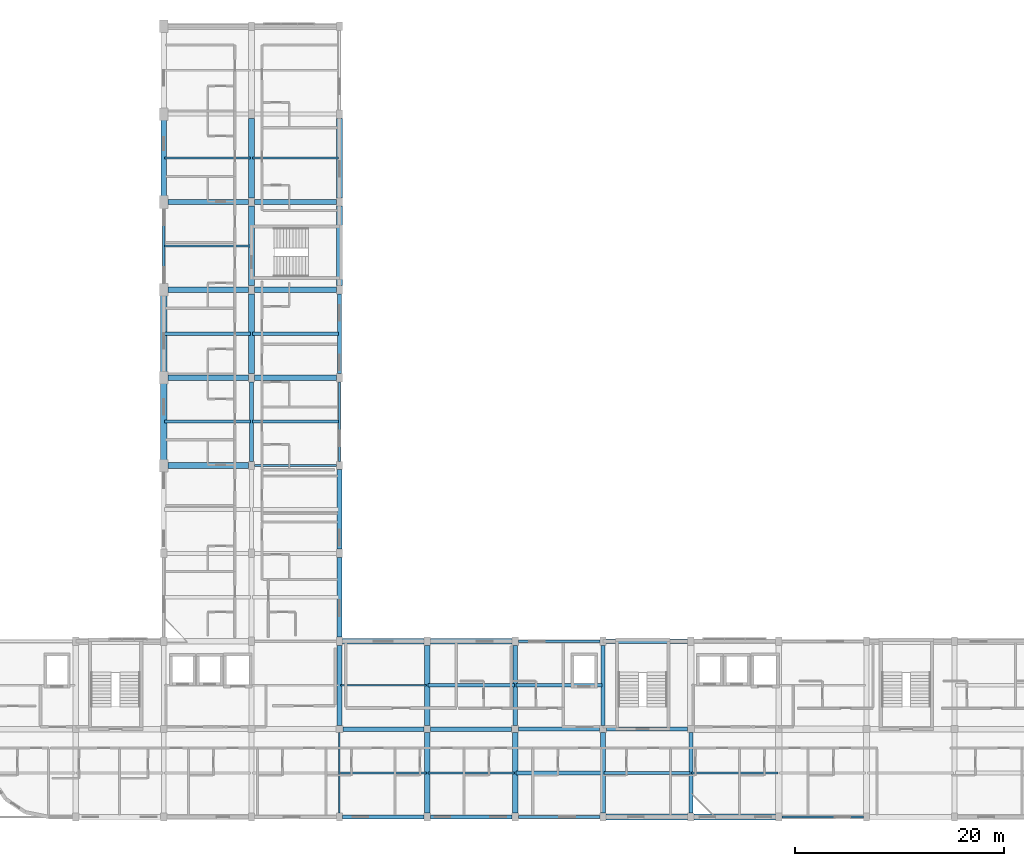
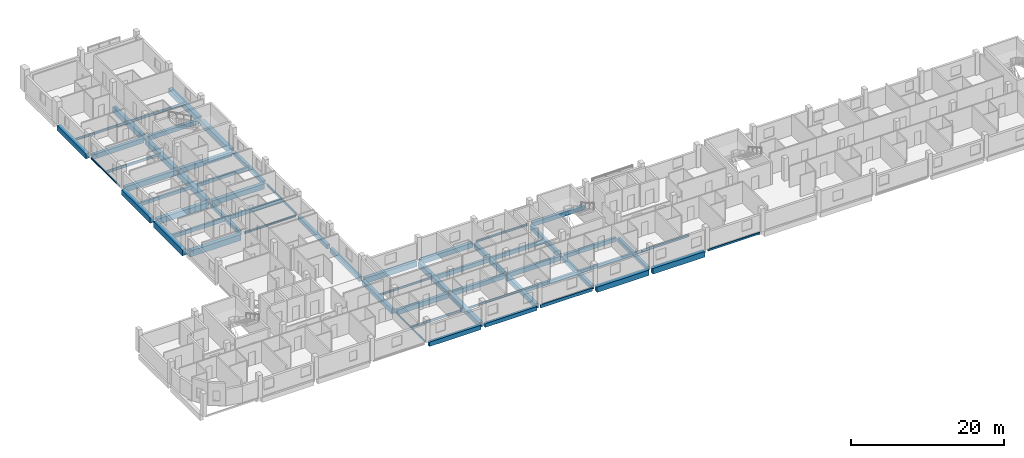
# One storey, part 3 of 26: 60 beams.
"""IFC4 building model written with IfcOpenShell, lengths in metres."""

from ifc_helpers import new_model, si_unit, derived_unit, direction, frame, origin, origin_2d, place, context, subcontext, project, spatial, rectangle, hollow_rectangle, i_section, extrude, material, material_profile, profile_set, type_object, element, save


model = new_model("IFC4")

# Units and contexts
model_context = context("Model", 3, precision=1e-05, world=origin(), true_north=direction((0.0, 1.0)))
body_context = subcontext(model_context, "Body", "Model", "MODEL_VIEW")
ifc_project = project(units=[si_unit("LENGTHUNIT", "METRE"), si_unit("AREAUNIT", "SQUARE_METRE"), si_unit("VOLUMEUNIT", "CUBIC_METRE"), si_unit("PLANEANGLEUNIT", "RADIAN"), si_unit("MASSUNIT", "GRAM", prefix="KILO"), derived_unit("THERMALTRANSMITTANCEUNIT", [(si_unit("POWERUNIT", "WATT"), 1), (si_unit("LENGTHUNIT", "METRE"), -2), (si_unit("THERMODYNAMICTEMPERATUREUNIT", "KELVIN"), -1)])], contexts=[model_context])

# Site, building, storey
site_placement = place(None, origin())
site = spatial("IfcSite", under=ifc_project, at=site_placement, CompositionType="ELEMENT")
building_placement = place(site_placement, origin())
building = spatial("IfcBuilding", under=site, at=building_placement, Name="Barrovel Congress Hotel", CompositionType="ELEMENT")
storey_placement = place(building_placement, frame((0.0, 0.0, 21.89990234375)))
storey = spatial("IfcBuildingStorey", under=building, at=storey_placement, Name="L05", CompositionType="ELEMENT", Elevation=21.89990234375)

# Beams
ifc_material_1 = material(Name="Concrete C40", Category="concrete")
ifc_material_profile_1 = material_profile(ifc_material_1, rectangle(XDim=0.25, YDim=0.5, at=origin_2d()), Name="RC250x500")
ifc_profile_set_1 = profile_set([ifc_material_profile_1], Name="Concrete C40")
beam_type_1 = type_object("IfcBeamType", Name="BM-RC250x500", PredefinedType="SPANDREL", material=ifc_profile_set_1)
beam_1_placement = place(storey_placement, frame((67.5, 4.199951171875, -0.469970703125), z_axis=(1.0, 0.0, 0.0), x_axis=(0.0, 1.0, 0.0)))
element("IfcBeam", 1, at=beam_1_placement, inside=storey, type_object=beam_type_1, Name="BMX:L05:4.2:67.2-75.6", PredefinedType="SPANDREL", context=body_context, shape_type="SweptSolid", body=[
    extrude(rectangle(XDim=0.25, YDim=0.5, at=origin_2d()), origin(), (0.0, 0.0, 1.0), 7.800048828125),
])
ifc_material_profile_2 = material_profile(ifc_material_1, rectangle(XDim=0.300048828125, YDim=0.5, at=origin_2d()), Name="RC300x500")
ifc_profile_set_2 = profile_set([ifc_material_profile_2], Name="Concrete C40")
beam_type_2 = type_object("IfcBeamType", Name="BM-RC300x500", PredefinedType="JOIST", material=ifc_profile_set_2)
for number, where, z_axis, x_axis, name in (
    (2, (33.679931640625, 50.39990234375, -0.469970703125), (1.0, 0.0, 0.0), (0.0, 1.0, 0.0), "JST:L05:33.6:50.4"),
    (3, (42.080078125, 50.39990234375, -0.469970703125), (1.0, 0.0, 0.0), (0.0, 1.0, 0.0), "JST:L05:42.0:50.4"),
    (4, (75.679931640625, 8.39990234375, -0.469970703125), (1.0, 0.0, 0.0), (0.0, 1.0, 0.0), "JST:L05:75.6:8.4"),
):
    element("IfcBeam", number, at=place(storey_placement, frame(where, z_axis=z_axis, x_axis=x_axis)), inside=storey, type_object=beam_type_2, Name=name, PredefinedType="JOIST", context=body_context, shape_type="SweptSolid", body=[
        extrude(rectangle(XDim=0.300048828125, YDim=0.5, at=origin_2d()), origin(), (0.0, 0.0, 1.0), 8.239990234375),
    ])
ifc_material_profile_3 = material_profile(ifc_material_1, rectangle(XDim=0.300048828125, YDim=0.60009765625, at=origin_2d()), Name="RC300x600")
ifc_profile_set_3 = profile_set([ifc_material_profile_3], Name="Concrete C40")
beam_type_3 = type_object("IfcBeamType", Name="BM-RC300x600", PredefinedType="JOIST", material=ifc_profile_set_3)
for number, where, z_axis, x_axis, name in (
    (5, (33.679931640625, 42.0, -0.52001953125), (1.0, 0.0, 0.0), (0.0, 1.0, 0.0), "JST:L05:33.6:42.0"),
    (6, (42.080078125, 42.0, -0.52001953125), (1.0, 0.0, 0.0), (0.0, 1.0, 0.0), "JST:L05:42.0:42.0"),
    (7, (67.280029296875, 16.800048828125, -0.52001953125), (1.0, 0.0, 0.0), (0.0, 1.0, 0.0), "JST:L05:67.2:16.8"),
):
    element("IfcBeam", number, at=place(storey_placement, frame(where, z_axis=z_axis, x_axis=x_axis)), inside=storey, type_object=beam_type_3, Name=name, PredefinedType="JOIST", context=body_context, shape_type="SweptSolid", body=[
        extrude(rectangle(XDim=0.300048828125, YDim=0.60009765625, at=origin_2d()), origin(), (0.0, 0.0, 1.0), 8.239990234375),
    ])
ifc_material_profile_4 = material_profile(ifc_material_1, rectangle(XDim=0.35009765625, YDim=0.550048828125, at=origin_2d()), Name="RC350x550")
ifc_profile_set_4 = profile_set([ifc_material_profile_4], Name="Concrete C40")
beam_type_4 = type_object("IfcBeamType", Name="BM-RC350x550", PredefinedType="JOIST", material=ifc_profile_set_4)
beam_2_placement = place(storey_placement, frame((67.280029296875, 8.39990234375, -0.494873046875), z_axis=(1.0, 0.0, 0.0), x_axis=(0.0, 1.0, 0.0)))
element("IfcBeam", 8, at=beam_2_placement, inside=storey, type_object=beam_type_4, Name="JST:L05:67.2:8.4", PredefinedType="JOIST", context=body_context, shape_type="SweptSolid", body=[
    extrude(rectangle(XDim=0.35009765625, YDim=0.550048828125, at=origin_2d()), origin(), (0.0, 0.0, 1.0), 8.239990234375),
])
ifc_material_profile_5 = material_profile(ifc_material_1, rectangle(XDim=0.35009765625, YDim=0.64990234375, at=origin_2d()), Name="RC350x650")
ifc_profile_set_5 = profile_set([ifc_material_profile_5], Name="Concrete C40")
beam_type_5 = type_object("IfcBeamType", Name="BM-RC350x650", PredefinedType="JOIST", material=ifc_profile_set_5)
beam_3_placement = place(storey_placement, frame((58.8798828125, 16.800048828125, -0.544921875), z_axis=(1.0, 0.0, 0.0), x_axis=(0.0, 1.0, 0.0)))
element("IfcBeam", 9, at=beam_3_placement, inside=storey, type_object=beam_type_5, Name="JST:L05:58.8:16.8", PredefinedType="JOIST", context=body_context, shape_type="SweptSolid", body=[
    extrude(rectangle(XDim=0.35009765625, YDim=0.64990234375, at=origin_2d()), origin(), (0.0, 0.0, 1.0), 8.240234375),
])
ifc_material_profile_6 = material_profile(ifc_material_1, rectangle(XDim=0.39990234375, YDim=0.60009765625, at=origin_2d()), Name="RC400x600")
ifc_profile_set_6 = profile_set([ifc_material_profile_6], Name="Concrete C40")
beam_type_6 = type_object("IfcBeamType", Name="BM-RC400x600", PredefinedType="BEAM", material=ifc_profile_set_6)
beam_4_placement = place(storey_placement, frame((59.10009765625, 4.199951171875, -0.52001953125), z_axis=(1.0, 0.0, 0.0), x_axis=(0.0, 1.0, 0.0)))
element("IfcBeam", 10, at=beam_4_placement, inside=storey, type_object=beam_type_6, Name="BMX:L05:4.2:58.8-67.2", PredefinedType="BEAM", context=body_context, shape_type="SweptSolid", body=[
    extrude(rectangle(XDim=0.39990234375, YDim=0.60009765625, at=origin_2d()), origin(), (0.0, 0.0, 1.0), 7.7998046875),
])
beam_5_placement = place(storey_placement, frame((75.925048828125, 12.60009765625, -0.52001953125), z_axis=(1.0, 0.0, 0.0), x_axis=(0.0, 1.0, 0.0)))
element("IfcBeam", 11, at=beam_5_placement, inside=storey, type_object=beam_type_6, Name="BMX:L05:12.6:75.6-84.0", PredefinedType="BEAM", context=body_context, shape_type="SweptSolid", body=[
    extrude(rectangle(XDim=0.39990234375, YDim=0.60009765625, at=origin_2d()), origin(), (0.0, 0.0, 1.0), 7.75),
])
beam_6_placement = place(storey_placement, frame((42.0, 38.199951171875, -0.52001953125), z_axis=(0.0, 1.0, 0.0), x_axis=(-1.0, 0.0, 0.0)))
element("IfcBeam", 12, at=beam_6_placement, inside=storey, type_object=beam_type_6, Name="BMY:L05:42.0:37.8-46.2", PredefinedType="BEAM", context=body_context, shape_type="SweptSolid", body=[
    extrude(rectangle(XDim=0.39990234375, YDim=0.60009765625, at=origin_2d()), origin(), (0.0, 0.0, 1.0), 7.60009765625),
])
beam_7_placement = place(storey_placement, frame((50.39990234375, 46.60009765625, -0.52001953125), z_axis=(0.0, 1.0, 0.0), x_axis=(-1.0, 0.0, 0.0)))
element("IfcBeam", 13, at=beam_7_placement, inside=storey, type_object=beam_type_6, Name="BMY:L05:50.4:46.2-54.6", PredefinedType="BEAM", context=body_context, shape_type="SweptSolid", body=[
    extrude(rectangle(XDim=0.39990234375, YDim=0.60009765625, at=origin_2d()), origin(), (0.0, 0.0, 1.0), 7.599853515625),
])
beam_8_placement = place(storey_placement, frame((84.0, 4.60009765625, -0.52001953125), z_axis=(0.0, 1.0, 0.0), x_axis=(-1.0, 0.0, 0.0)))
element("IfcBeam", 14, at=beam_8_placement, inside=storey, type_object=beam_type_6, Name="BMY:L05:84.0:4.2-12.6", PredefinedType="BEAM", context=body_context, shape_type="SweptSolid", body=[
    extrude(rectangle(XDim=0.39990234375, YDim=0.60009765625, at=origin_2d()), origin(), (0.0, 0.0, 1.0), 7.6748046875),
])
ifc_material_profile_7 = material_profile(ifc_material_1, rectangle(XDim=0.39990234375, YDim=0.699951171875, at=origin_2d()), Name="RC400x700")
ifc_profile_set_7 = profile_set([ifc_material_profile_7], Name="Concrete C40")
beam_type_7 = type_object("IfcBeamType", Name="BM-RC400x700", PredefinedType="BEAM", material=ifc_profile_set_7)
beam_9_placement = place(storey_placement, frame((50.699951171875, 4.199951171875, -0.56982421875), z_axis=(1.0, 0.0, 0.0), x_axis=(0.0, 1.0, 0.0)))
element("IfcBeam", 15, at=beam_9_placement, inside=storey, type_object=beam_type_7, Name="BMX:L05:4.2:50.4-58.8", PredefinedType="BEAM", context=body_context, shape_type="SweptSolid", body=[
    extrude(rectangle(XDim=0.39990234375, YDim=0.699951171875, at=origin_2d()), origin(), (0.0, 0.0, 1.0), 7.800048828125),
])
beam_10_placement = place(storey_placement, frame((67.52490234375, 12.60009765625, -0.56982421875), z_axis=(1.0, 0.0, 0.0), x_axis=(0.0, 1.0, 0.0)))
element("IfcBeam", 16, at=beam_10_placement, inside=storey, type_object=beam_type_7, Name="BMX:L05:12.6:67.2-75.6", PredefinedType="BEAM", context=body_context, shape_type="SweptSolid", body=[
    extrude(rectangle(XDim=0.39990234375, YDim=0.699951171875, at=origin_2d()), origin(), (0.0, 0.0, 1.0), 7.75),
])
beam_11_placement = place(storey_placement, frame((75.60009765625, 12.925048828125, -0.56982421875), z_axis=(0.0, 1.0, 0.0), x_axis=(-1.0, 0.0, 0.0)))
element("IfcBeam", 17, at=beam_11_placement, inside=storey, type_object=beam_type_7, Name="BMY:L05:75.6:12.6-21.0", PredefinedType="BEAM", context=body_context, shape_type="SweptSolid", body=[
    extrude(rectangle(XDim=0.39990234375, YDim=0.699951171875, at=origin_2d()), origin(), (0.0, 0.0, 1.0), 7.675048828125),
])
ifc_material_profile_8 = material_profile(ifc_material_1, rectangle(XDim=0.449951171875, YDim=0.64990234375, at=origin_2d()), Name="RC450x650")
ifc_profile_set_8 = profile_set([ifc_material_profile_8], Name="Concrete C40")
beam_type_8 = type_object("IfcBeamType", Name="BM-RC450x650", PredefinedType="BEAM", material=ifc_profile_set_8)
beam_12_placement = place(storey_placement, frame((59.125, 12.60009765625, -0.544921875), z_axis=(1.0, 0.0, 0.0), x_axis=(0.0, 1.0, 0.0)))
element("IfcBeam", 18, at=beam_12_placement, inside=storey, type_object=beam_type_8, Name="BMX:L05:12.6:58.8-67.2", PredefinedType="BEAM", context=body_context, shape_type="SweptSolid", body=[
    extrude(rectangle(XDim=0.449951171875, YDim=0.64990234375, at=origin_2d()), origin(), (0.0, 0.0, 1.0), 7.75),
])
for number, where, z_axis, x_axis, name in (
    (19, (75.89990234375, 21.0, -0.544921875), (1.0, 0.0, 0.0), (0.0, 1.0, 0.0), "BMX:L05:21.0:75.6-84.0"),
    (20, (42.300048828125, 63.0, -0.544921875), (1.0, 0.0, 0.0), (0.0, 1.0, 0.0), "BMX:L05:63.0:42.0-50.4"),
):
    element("IfcBeam", number, at=place(storey_placement, frame(where, z_axis=z_axis, x_axis=x_axis)), inside=storey, type_object=beam_type_8, Name=name, PredefinedType="BEAM", context=body_context, shape_type="SweptSolid", body=[
        extrude(rectangle(XDim=0.449951171875, YDim=0.64990234375, at=origin_2d()), origin(), (0.0, 0.0, 1.0), 7.800048828125),
    ])
beam_13_placement = place(storey_placement, frame((50.39990234375, 29.800048828125, -0.544921875), z_axis=(0.0, 1.0, 0.0), x_axis=(-1.0, 0.0, 0.0)))
element("IfcBeam", 21, at=beam_13_placement, inside=storey, type_object=beam_type_8, Name="BMY:L05:50.4:29.4-37.8", PredefinedType="BEAM", context=body_context, shape_type="SweptSolid", body=[
    extrude(rectangle(XDim=0.449951171875, YDim=0.64990234375, at=origin_2d()), origin(), (0.0, 0.0, 1.0), 7.599853515625),
])
beam_14_placement = place(storey_placement, frame((75.60009765625, 4.60009765625, -0.544921875), z_axis=(0.0, 1.0, 0.0), x_axis=(-1.0, 0.0, 0.0)))
element("IfcBeam", 22, at=beam_14_placement, inside=storey, type_object=beam_type_8, Name="BMY:L05:75.6:4.2-12.6", PredefinedType="BEAM", context=body_context, shape_type="SweptSolid", body=[
    extrude(rectangle(XDim=0.449951171875, YDim=0.64990234375, at=origin_2d()), origin(), (0.0, 0.0, 1.0), 7.6748046875),
])
ifc_material_profile_9 = material_profile(ifc_material_1, rectangle(XDim=0.449951171875, YDim=0.75, at=origin_2d()), Name="RC450x750")
ifc_profile_set_9 = profile_set([ifc_material_profile_9], Name="Concrete C40")
beam_type_9 = type_object("IfcBeamType", Name="BM-RC450x750", PredefinedType="BEAM", material=ifc_profile_set_9)
beam_15_placement = place(storey_placement, frame((50.72509765625, 12.60009765625, -0.594970703125), z_axis=(1.0, 0.0, 0.0), x_axis=(0.0, 1.0, 0.0)))
element("IfcBeam", 23, at=beam_15_placement, inside=storey, type_object=beam_type_9, Name="BMX:L05:12.6:50.4-58.8", PredefinedType="BEAM", context=body_context, shape_type="SweptSolid", body=[
    extrude(rectangle(XDim=0.449951171875, YDim=0.75, at=origin_2d()), origin(), (0.0, 0.0, 1.0), 7.75),
])
beam_16_placement = place(storey_placement, frame((34.0, 63.0, -0.594970703125), z_axis=(1.0, 0.0, 0.0), x_axis=(0.0, 1.0, 0.0)))
element("IfcBeam", 24, at=beam_16_placement, inside=storey, type_object=beam_type_9, Name="BMX:L05:63.0:33.6-42.0", PredefinedType="BEAM", context=body_context, shape_type="SweptSolid", body=[
    extrude(rectangle(XDim=0.449951171875, YDim=0.75, at=origin_2d()), origin(), (0.0, 0.0, 1.0), 7.699951171875),
])
beam_17_placement = place(storey_placement, frame((50.39990234375, 21.39990234375, -0.594970703125), z_axis=(0.0, 1.0, 0.0), x_axis=(-1.0, 0.0, 0.0)))
element("IfcBeam", 25, at=beam_17_placement, inside=storey, type_object=beam_type_9, Name="BMY:L05:50.4:21.0-29.4", PredefinedType="BEAM", context=body_context, shape_type="SweptSolid", body=[
    extrude(rectangle(XDim=0.449951171875, YDim=0.75, at=origin_2d()), origin(), (0.0, 0.0, 1.0), 7.60009765625),
])
beam_18_placement = place(storey_placement, frame((67.199951171875, 12.925048828125, -0.594970703125), z_axis=(0.0, 1.0, 0.0), x_axis=(-1.0, 0.0, 0.0)))
element("IfcBeam", 26, at=beam_18_placement, inside=storey, type_object=beam_type_9, Name="BMY:L05:67.2:12.6-21.0", PredefinedType="BEAM", context=body_context, shape_type="SweptSolid", body=[
    extrude(rectangle(XDim=0.449951171875, YDim=0.75, at=origin_2d()), origin(), (0.0, 0.0, 1.0), 7.675048828125),
])
ifc_material_profile_10 = material_profile(ifc_material_1, rectangle(XDim=0.5, YDim=0.75, at=origin_2d()), Name="RC500x750")
ifc_profile_set_10 = profile_set([ifc_material_profile_10], Name="Concrete C40")
beam_type_10 = type_object("IfcBeamType", Name="BM-RC500x750", PredefinedType="BEAM", material=ifc_profile_set_10)
beam_19_placement = place(storey_placement, frame((59.10009765625, 21.0, -0.594970703125), z_axis=(1.0, 0.0, 0.0), x_axis=(0.0, 1.0, 0.0)))
element("IfcBeam", 27, at=beam_19_placement, inside=storey, type_object=beam_type_10, Name="BMX:L05:21.0:58.8-67.2", PredefinedType="BEAM", context=body_context, shape_type="SweptSolid", body=[
    extrude(rectangle(XDim=0.5, YDim=0.75, at=origin_2d()), origin(), (0.0, 0.0, 1.0), 7.7998046875),
])
beam_20_placement = place(storey_placement, frame((42.300048828125, 54.60009765625, -0.594970703125), z_axis=(1.0, 0.0, 0.0), x_axis=(0.0, 1.0, 0.0)))
element("IfcBeam", 28, at=beam_20_placement, inside=storey, type_object=beam_type_10, Name="BMX:L05:54.6:42.0-50.4", PredefinedType="BEAM", context=body_context, shape_type="SweptSolid", body=[
    extrude(rectangle(XDim=0.5, YDim=0.75, at=origin_2d()), origin(), (0.0, 0.0, 1.0), 7.800048828125),
])
beam_21_placement = place(storey_placement, frame((50.39990234375, 12.925048828125, -0.594970703125), z_axis=(0.0, 1.0, 0.0), x_axis=(-1.0, 0.0, 0.0)))
element("IfcBeam", 29, at=beam_21_placement, inside=storey, type_object=beam_type_10, Name="BMY:L05:50.4:12.6-21.0", PredefinedType="BEAM", context=body_context, shape_type="SweptSolid", body=[
    extrude(rectangle(XDim=0.5, YDim=0.75, at=origin_2d()), origin(), (0.0, 0.0, 1.0), 7.675048828125),
])
beam_22_placement = place(storey_placement, frame((67.199951171875, 4.60009765625, -0.594970703125), z_axis=(0.0, 1.0, 0.0), x_axis=(-1.0, 0.0, 0.0)))
element("IfcBeam", 30, at=beam_22_placement, inside=storey, type_object=beam_type_10, Name="BMY:L05:67.2:4.2-12.6", PredefinedType="BEAM", context=body_context, shape_type="SweptSolid", body=[
    extrude(rectangle(XDim=0.5, YDim=0.75, at=origin_2d()), origin(), (0.0, 0.0, 1.0), 7.6748046875),
])
ifc_material_profile_11 = material_profile(ifc_material_1, rectangle(XDim=0.5, YDim=0.85009765625, at=origin_2d()), Name="RC500x850")
ifc_profile_set_11 = profile_set([ifc_material_profile_11], Name="Concrete C40")
beam_type_11 = type_object("IfcBeamType", Name="BM-RC500x850", PredefinedType="BEAM", material=ifc_profile_set_11)
beam_23_placement = place(storey_placement, frame((50.699951171875, 21.0, -0.64501953125), z_axis=(1.0, 0.0, 0.0), x_axis=(0.0, 1.0, 0.0)))
element("IfcBeam", 31, at=beam_23_placement, inside=storey, type_object=beam_type_11, Name="BMX:L05:21.0:50.4-58.8", PredefinedType="BEAM", context=body_context, shape_type="SweptSolid", body=[
    extrude(rectangle(XDim=0.5, YDim=0.85009765625, at=origin_2d()), origin(), (0.0, 0.0, 1.0), 7.800048828125),
])
beam_24_placement = place(storey_placement, frame((34.0, 54.60009765625, -0.64501953125), z_axis=(1.0, 0.0, 0.0), x_axis=(0.0, 1.0, 0.0)))
element("IfcBeam", 32, at=beam_24_placement, inside=storey, type_object=beam_type_11, Name="BMX:L05:54.6:33.6-42.0", PredefinedType="BEAM", context=body_context, shape_type="SweptSolid", body=[
    extrude(rectangle(XDim=0.5, YDim=0.85009765625, at=origin_2d()), origin(), (0.0, 0.0, 1.0), 7.699951171875),
])
beam_25_placement = place(storey_placement, frame((58.800048828125, 12.925048828125, -0.64501953125), z_axis=(0.0, 1.0, 0.0), x_axis=(-1.0, 0.0, 0.0)))
element("IfcBeam", 33, at=beam_25_placement, inside=storey, type_object=beam_type_11, Name="BMY:L05:58.8:12.6-21.0", PredefinedType="BEAM", context=body_context, shape_type="SweptSolid", body=[
    extrude(rectangle(XDim=0.5, YDim=0.85009765625, at=origin_2d()), origin(), (0.0, 0.0, 1.0), 7.675048828125),
])
ifc_material_profile_12 = material_profile(ifc_material_1, rectangle(XDim=0.550048828125, YDim=0.800048828125, at=origin_2d()), Name="RC550x800")
ifc_profile_set_12 = profile_set([ifc_material_profile_12], Name="Concrete C40")
beam_type_12 = type_object("IfcBeamType", Name="BM-RC550x800", PredefinedType="BEAM", material=ifc_profile_set_12)
beam_26_placement = place(storey_placement, frame((42.300048828125, 46.199951171875, -0.619873046875), z_axis=(1.0, 0.0, 0.0), x_axis=(0.0, 1.0, 0.0)))
element("IfcBeam", 34, at=beam_26_placement, inside=storey, type_object=beam_type_12, Name="BMX:L05:46.2:42.0-50.4", PredefinedType="BEAM", context=body_context, shape_type="SweptSolid", body=[
    extrude(rectangle(XDim=0.550048828125, YDim=0.800048828125, at=origin_2d()), origin(), (0.0, 0.0, 1.0), 7.800048828125),
])
beam_27_placement = place(storey_placement, frame((33.60009765625, 63.449951171875, -0.619873046875), z_axis=(0.0, 1.0, 0.0), x_axis=(-1.0, 0.0, 0.0)))
element("IfcBeam", 35, at=beam_27_placement, inside=storey, type_object=beam_type_12, Name="BMY:L05:33.6:63.0-71.4", PredefinedType="BEAM", context=body_context, shape_type="SweptSolid", body=[
    extrude(rectangle(XDim=0.550048828125, YDim=0.800048828125, at=origin_2d()), origin(), (0.0, 0.0, 1.0), 7.5),
])
beam_28_placement = place(storey_placement, frame((58.800048828125, 4.60009765625, -0.619873046875), z_axis=(0.0, 1.0, 0.0), x_axis=(-1.0, 0.0, 0.0)))
element("IfcBeam", 36, at=beam_28_placement, inside=storey, type_object=beam_type_12, Name="BMY:L05:58.8:4.2-12.6", PredefinedType="BEAM", context=body_context, shape_type="SweptSolid", body=[
    extrude(rectangle(XDim=0.550048828125, YDim=0.800048828125, at=origin_2d()), origin(), (0.0, 0.0, 1.0), 7.6748046875),
])
ifc_material_profile_13 = material_profile(ifc_material_1, rectangle(XDim=0.550048828125, YDim=0.89990234375, at=origin_2d()), Name="RC550x900")
ifc_profile_set_13 = profile_set([ifc_material_profile_13], Name="Concrete C40")
beam_type_13 = type_object("IfcBeamType", Name="BM-RC550x900", PredefinedType="BEAM", material=ifc_profile_set_13)
beam_29_placement = place(storey_placement, frame((84.300048828125, 4.199951171875, -0.669921875), z_axis=(1.0, 0.0, 0.0), x_axis=(0.0, 1.0, 0.0)))
element("IfcBeam", 37, at=beam_29_placement, inside=storey, type_object=beam_type_13, Name="BMX:L05:4.2:84.0-92.4", PredefinedType="BEAM", context=body_context, shape_type="SweptSolid", body=[
    extrude(rectangle(XDim=0.550048828125, YDim=0.89990234375, at=origin_2d()), origin(), (0.0, 0.0, 1.0), 7.800048828125),
])
beam_30_placement = place(storey_placement, frame((34.0, 46.199951171875, -0.669921875), z_axis=(1.0, 0.0, 0.0), x_axis=(0.0, 1.0, 0.0)))
element("IfcBeam", 38, at=beam_30_placement, inside=storey, type_object=beam_type_13, Name="BMX:L05:46.2:33.6-42.0", PredefinedType="BEAM", context=body_context, shape_type="SweptSolid", body=[
    extrude(rectangle(XDim=0.550048828125, YDim=0.89990234375, at=origin_2d()), origin(), (0.0, 0.0, 1.0), 7.699951171875),
])
beam_31_placement = place(storey_placement, frame((42.0, 63.39990234375, -0.669921875), z_axis=(0.0, 1.0, 0.0), x_axis=(-1.0, 0.0, 0.0)))
element("IfcBeam", 39, at=beam_31_placement, inside=storey, type_object=beam_type_13, Name="BMY:L05:42.0:63.0-71.4", PredefinedType="BEAM", context=body_context, shape_type="SweptSolid", body=[
    extrude(rectangle(XDim=0.550048828125, YDim=0.89990234375, at=origin_2d()), origin(), (0.0, 0.0, 1.0), 7.60009765625),
])
ifc_material_profile_14 = material_profile(ifc_material_1, rectangle(XDim=0.60009765625, YDim=0.85009765625, at=origin_2d()), Name="RC600x850")
ifc_profile_set_14 = profile_set([ifc_material_profile_14], Name="Concrete C40")
beam_type_14 = type_object("IfcBeamType", Name="BM-RC600x850", PredefinedType="BEAM", material=ifc_profile_set_14)
beam_32_placement = place(storey_placement, frame((75.89990234375, 4.199951171875, -0.64501953125), z_axis=(1.0, 0.0, 0.0), x_axis=(0.0, 1.0, 0.0)))
element("IfcBeam", 40, at=beam_32_placement, inside=storey, type_object=beam_type_14, Name="BMX:L05:4.2:75.6-84.0", PredefinedType="BEAM", context=body_context, shape_type="SweptSolid", body=[
    extrude(rectangle(XDim=0.60009765625, YDim=0.85009765625, at=origin_2d()), origin(), (0.0, 0.0, 1.0), 7.800048828125),
])
beam_33_placement = place(storey_placement, frame((33.60009765625, 46.64990234375, -0.64501953125), z_axis=(0.0, 1.0, 0.0), x_axis=(-1.0, 0.0, 0.0)))
element("IfcBeam", 41, at=beam_33_placement, inside=storey, type_object=beam_type_14, Name="BMY:L05:33.6:46.2-54.6", PredefinedType="BEAM", context=body_context, shape_type="SweptSolid", body=[
    extrude(rectangle(XDim=0.60009765625, YDim=0.85009765625, at=origin_2d()), origin(), (0.0, 0.0, 1.0), 7.5),
])
for number, where, z_axis, x_axis, name in (
    (42, (42.0, 55.0, -0.64501953125), (0.0, 1.0, 0.0), (-1.0, 0.0, 0.0), "BMY:L05:42.0:54.6-63.0"),
    (43, (50.39990234375, 63.39990234375, -0.64501953125), (0.0, 1.0, 0.0), (-1.0, 0.0, 0.0), "BMY:L05:50.4:63.0-71.4"),
):
    element("IfcBeam", number, at=place(storey_placement, frame(where, z_axis=z_axis, x_axis=x_axis)), inside=storey, type_object=beam_type_14, Name=name, PredefinedType="BEAM", context=body_context, shape_type="SweptSolid", body=[
        extrude(rectangle(XDim=0.60009765625, YDim=0.85009765625, at=origin_2d()), origin(), (0.0, 0.0, 1.0), 7.60009765625),
    ])
ifc_material_profile_15 = material_profile(ifc_material_1, rectangle(XDim=0.60009765625, YDim=0.949951171875, at=origin_2d()), Name="RC600x950")
ifc_profile_set_15 = profile_set([ifc_material_profile_15], Name="Concrete C40")
beam_type_15 = type_object("IfcBeamType", Name="BM-RC600x950", PredefinedType="BEAM", material=ifc_profile_set_15)
beam_34_placement = place(storey_placement, frame((34.0, 37.800048828125, -0.69482421875), z_axis=(1.0, 0.0, 0.0), x_axis=(0.0, 1.0, 0.0)))
element("IfcBeam", 44, at=beam_34_placement, inside=storey, type_object=beam_type_15, Name="BMX:L05:37.8:33.6-42.0", PredefinedType="BEAM", context=body_context, shape_type="SweptSolid", body=[
    extrude(rectangle(XDim=0.60009765625, YDim=0.949951171875, at=origin_2d()), origin(), (0.0, 0.0, 1.0), 7.699951171875),
])
beam_35_placement = place(storey_placement, frame((33.60009765625, 38.25, -0.69482421875), z_axis=(0.0, 1.0, 0.0), x_axis=(-1.0, 0.0, 0.0)))
element("IfcBeam", 45, at=beam_35_placement, inside=storey, type_object=beam_type_15, Name="BMY:L05:33.6:37.8-46.2", PredefinedType="BEAM", context=body_context, shape_type="SweptSolid", body=[
    extrude(rectangle(XDim=0.60009765625, YDim=0.949951171875, at=origin_2d()), origin(), (0.0, 0.0, 1.0), 7.5),
])
beam_36_placement = place(storey_placement, frame((42.0, 46.60009765625, -0.69482421875), z_axis=(0.0, 1.0, 0.0), x_axis=(-1.0, 0.0, 0.0)))
element("IfcBeam", 46, at=beam_36_placement, inside=storey, type_object=beam_type_15, Name="BMY:L05:42.0:46.2-54.6", PredefinedType="BEAM", context=body_context, shape_type="SweptSolid", body=[
    extrude(rectangle(XDim=0.60009765625, YDim=0.949951171875, at=origin_2d()), origin(), (0.0, 0.0, 1.0), 7.599853515625),
])
beam_37_placement = place(storey_placement, frame((50.39990234375, 55.0, -0.69482421875), z_axis=(0.0, 1.0, 0.0), x_axis=(-1.0, 0.0, 0.0)))
element("IfcBeam", 47, at=beam_37_placement, inside=storey, type_object=beam_type_15, Name="BMY:L05:50.4:54.6-63.0", PredefinedType="BEAM", context=body_context, shape_type="SweptSolid", body=[
    extrude(rectangle(XDim=0.60009765625, YDim=0.949951171875, at=origin_2d()), origin(), (0.0, 0.0, 1.0), 7.60009765625),
])
ifc_material_2 = material(Name="Steel ASTM A500 Grade C", Category="steel")
ifc_material_profile_16 = material_profile(ifc_material_2, hollow_rectangle(XDim=0.15234375, YDim=0.25390625, WallThickness=0.0087890625, InnerFilletRadius=0.0087890625, OuterFilletRadius=0.017578125, at=origin_2d()), Name="HSS254x152x9.5")
ifc_profile_set_16 = profile_set([ifc_material_profile_16], Name="Steel ASTM A500 Grade C")
beam_type_16 = type_object("IfcBeamType", Name="SBM-HSS254x152x9.5", PredefinedType="SPANDREL", material=ifc_profile_set_16)
beam_38_placement = place(storey_placement, frame((50.39990234375, 4.60009765625, -0.346923828125), z_axis=(0.0, 1.0, 0.0), x_axis=(-1.0, 0.0, 0.0)))
element("IfcBeam", 48, at=beam_38_placement, inside=storey, type_object=beam_type_16, Name="BMY:L05:50.4:4.2-12.6", PredefinedType="SPANDREL", context=body_context, shape_type="SweptSolid", body=[
    extrude(hollow_rectangle(XDim=0.15234375, YDim=0.25390625, WallThickness=0.0087890625, InnerFilletRadius=0.0087890625, OuterFilletRadius=0.017578125, at=origin_2d()), origin(), (0.0, 0.0, 1.0), 7.6748046875),
])
ifc_material_profile_17 = material_profile(ifc_material_2, hollow_rectangle(XDim=0.203125, YDim=0.3046875, WallThickness=0.01171875, InnerFilletRadius=0.01171875, OuterFilletRadius=0.023681640625, at=origin_2d()), Name="HSS305x203x12.7")
ifc_profile_set_17 = profile_set([ifc_material_profile_17], Name="Steel ASTM A500 Grade C")
beam_type_17 = type_object("IfcBeamType", Name="SBM-HSS305x203x12.7", PredefinedType="SPANDREL", material=ifc_profile_set_17)
beam_39_placement = place(storey_placement, frame((92.699951171875, 4.199951171875, -0.372314453125), z_axis=(1.0, 0.0, 0.0), x_axis=(0.0, 1.0, 0.0)))
element("IfcBeam", 49, at=beam_39_placement, inside=storey, type_object=beam_type_17, Name="BMX:L05:4.2:92.4-100.8", PredefinedType="SPANDREL", context=body_context, shape_type="SweptSolid", body=[
    extrude(hollow_rectangle(XDim=0.203125, YDim=0.3046875, WallThickness=0.01171875, InnerFilletRadius=0.01171875, OuterFilletRadius=0.023681640625, at=origin_2d()), origin(), (0.0, 0.0, 1.0), 7.800048828125),
])
beam_40_placement = place(storey_placement, frame((50.39990234375, 38.199951171875, -0.372314453125), z_axis=(0.0, 1.0, 0.0), x_axis=(-1.0, 0.0, 0.0)))
element("IfcBeam", 50, at=beam_40_placement, inside=storey, type_object=beam_type_17, Name="BMY:L05:50.4:37.8-46.2", PredefinedType="SPANDREL", context=body_context, shape_type="SweptSolid", body=[
    extrude(hollow_rectangle(XDim=0.203125, YDim=0.3046875, WallThickness=0.01171875, InnerFilletRadius=0.01171875, OuterFilletRadius=0.023681640625, at=origin_2d()), origin(), (0.0, 0.0, 1.0), 7.60009765625),
])
ifc_material_3 = material(Name="Steel ASTM A992 Grade 50", Category="steel")
ifc_material_profile_18 = material_profile(ifc_material_3, i_section(OverallWidth=0.201904296875, OverallDepth=0.2470703125, WebThickness=0.00732421875, FlangeThickness=0.010986328125, FilletRadius=0.011962890625, at=origin_2d()), Name="W250x49")
ifc_profile_set_18 = profile_set([ifc_material_profile_18], Name="Steel ASTM A992 Grade 50")
beam_type_18 = type_object("IfcBeamType", Name="SBM-W250x49", PredefinedType="SPANDREL", material=ifc_profile_set_18)
beam_41_placement = place(storey_placement, frame((33.60009765625, 55.050048828125, -0.343505859375), z_axis=(0.0, 1.0, 0.0), x_axis=(-1.0, 0.0, 0.0)))
element("IfcBeam", 51, at=beam_41_placement, inside=storey, type_object=beam_type_18, Name="BMY:L05:33.6:54.6-63.0", PredefinedType="SPANDREL", context=body_context, shape_type="SweptSolid", body=[
    extrude(i_section(OverallWidth=0.201904296875, OverallDepth=0.2470703125, WebThickness=0.00732421875, FlangeThickness=0.010986328125, FilletRadius=0.011962890625, at=origin_2d()), origin(), (0.0, 0.0, 1.0), 7.5),
])
ifc_material_profile_19 = material_profile(ifc_material_3, i_section(OverallWidth=0.1650390625, OverallDepth=0.31005859375, WebThickness=0.005859375, FlangeThickness=0.009765625, FilletRadius=0.010986328125, at=origin_2d()), Name="W310x39")
ifc_profile_set_19 = profile_set([ifc_material_profile_19], Name="Steel ASTM A992 Grade 50")
beam_type_19 = type_object("IfcBeamType", Name="SBM-W310x39", PredefinedType="JOIST", material=ifc_profile_set_19)
beam_42_placement = place(storey_placement, frame((58.8798828125, 8.39990234375, -0.375), z_axis=(1.0, 0.0, 0.0), x_axis=(0.0, 1.0, 0.0)))
element("IfcBeam", 52, at=beam_42_placement, inside=storey, type_object=beam_type_19, Name="JST:L05:58.8:8.4", PredefinedType="JOIST", context=body_context, shape_type="SweptSolid", body=[
    extrude(i_section(OverallWidth=0.1650390625, OverallDepth=0.31005859375, WebThickness=0.005859375, FlangeThickness=0.009765625, FilletRadius=0.010986328125, at=origin_2d()), origin(), (0.0, 0.0, 1.0), 8.240234375),
])
ifc_material_profile_20 = material_profile(ifc_material_3, i_section(OverallWidth=0.1669921875, OverallDepth=0.31689453125, WebThickness=0.007568359375, FlangeThickness=0.01318359375, FilletRadius=0.010986328125, at=origin_2d()), Name="W310x52")
ifc_profile_set_20 = profile_set([ifc_material_profile_20], Name="Steel ASTM A992 Grade 50")
beam_type_20 = type_object("IfcBeamType", Name="SBM-W310x52", PredefinedType="JOIST", material=ifc_profile_set_20)
beam_43_placement = place(storey_placement, frame((50.47998046875, 16.800048828125, -0.37841796875), z_axis=(1.0, 0.0, 0.0), x_axis=(0.0, 1.0, 0.0)))
element("IfcBeam", 53, at=beam_43_placement, inside=storey, type_object=beam_type_20, Name="JST:L05:50.4:16.8", PredefinedType="JOIST", context=body_context, shape_type="SweptSolid", body=[
    extrude(i_section(OverallWidth=0.1669921875, OverallDepth=0.31689453125, WebThickness=0.007568359375, FlangeThickness=0.01318359375, FilletRadius=0.010986328125, at=origin_2d()), origin(), (0.0, 0.0, 1.0), 8.239990234375),
])
ifc_material_profile_21 = material_profile(ifc_material_3, i_section(OverallWidth=0.205078125, OverallDepth=0.31005859375, WebThickness=0.009521484375, FlangeThickness=0.016357421875, FilletRadius=0.012939453125, at=origin_2d()), Name="W310x74")
ifc_profile_set_21 = profile_set([ifc_material_profile_21], Name="Steel ASTM A992 Grade 50")
beam_type_21 = type_object("IfcBeamType", Name="SBM-W310x74", PredefinedType="SPANDREL", material=ifc_profile_set_21)
for number, where, z_axis, x_axis, name in (
    (54, (67.5, 21.0, -0.375), (1.0, 0.0, 0.0), (0.0, 1.0, 0.0), "BMX:L05:21.0:67.2-75.6"),
    (55, (42.300048828125, 37.800048828125, -0.375), (1.0, 0.0, 0.0), (0.0, 1.0, 0.0), "BMX:L05:37.8:42.0-50.4"),
):
    element("IfcBeam", number, at=place(storey_placement, frame(where, z_axis=z_axis, x_axis=x_axis)), inside=storey, type_object=beam_type_21, Name=name, PredefinedType="SPANDREL", context=body_context, shape_type="SweptSolid", body=[
        extrude(i_section(OverallWidth=0.205078125, OverallDepth=0.31005859375, WebThickness=0.009521484375, FlangeThickness=0.016357421875, FilletRadius=0.012939453125, at=origin_2d()), origin(), (0.0, 0.0, 1.0), 7.800048828125),
    ])
ifc_material_profile_22 = material_profile(ifc_material_3, i_section(OverallWidth=0.1708984375, OverallDepth=0.35205078125, WebThickness=0.0068359375, FlangeThickness=0.009765625, FilletRadius=0.011962890625, at=origin_2d()), Name="W360x44")
ifc_profile_set_22 = profile_set([ifc_material_profile_22], Name="Steel ASTM A992 Grade 50")
beam_type_22 = type_object("IfcBeamType", Name="SBM-W360x44", PredefinedType="JOIST", material=ifc_profile_set_22)
beam_44_placement = place(storey_placement, frame((50.47998046875, 8.39990234375, -0.39599609375), z_axis=(1.0, 0.0, 0.0), x_axis=(0.0, 1.0, 0.0)))
element("IfcBeam", 56, at=beam_44_placement, inside=storey, type_object=beam_type_22, Name="JST:L05:50.4:8.4", PredefinedType="JOIST", context=body_context, shape_type="SweptSolid", body=[
    extrude(i_section(OverallWidth=0.1708984375, OverallDepth=0.35205078125, WebThickness=0.0068359375, FlangeThickness=0.009765625, FilletRadius=0.011962890625, at=origin_2d()), origin(), (0.0, 0.0, 1.0), 8.239990234375),
])
ifc_material_profile_23 = material_profile(ifc_material_3, i_section(OverallWidth=0.172119140625, OverallDepth=0.35791015625, WebThickness=0.0078125, FlangeThickness=0.01318359375, FilletRadius=0.011962890625, at=origin_2d()), Name="W360x57")
ifc_profile_set_23 = profile_set([ifc_material_profile_23], Name="Steel ASTM A992 Grade 50")
beam_type_23 = type_object("IfcBeamType", Name="SBM-W360x57", PredefinedType="JOIST", material=ifc_profile_set_23)
beam_45_placement = place(storey_placement, frame((33.679931640625, 67.199951171875, -0.39892578125), z_axis=(1.0, 0.0, 0.0), x_axis=(0.0, 1.0, 0.0)))
element("IfcBeam", 57, at=beam_45_placement, inside=storey, type_object=beam_type_23, Name="JST:L05:33.6:67.2", PredefinedType="JOIST", context=body_context, shape_type="SweptSolid", body=[
    extrude(i_section(OverallWidth=0.172119140625, OverallDepth=0.35791015625, WebThickness=0.0078125, FlangeThickness=0.01318359375, FilletRadius=0.011962890625, at=origin_2d()), origin(), (0.0, 0.0, 1.0), 8.239990234375),
])
ifc_material_profile_24 = material_profile(ifc_material_3, i_section(OverallWidth=0.177001953125, OverallDepth=0.403076171875, WebThickness=0.007568359375, FlangeThickness=0.010986328125, FilletRadius=0.011962890625, at=origin_2d()), Name="W410x53")
ifc_profile_set_24 = profile_set([ifc_material_profile_24], Name="Steel ASTM A992 Grade 50")
beam_type_24 = type_object("IfcBeamType", Name="SBM-W410x53", PredefinedType="JOIST", material=ifc_profile_set_24)
for number, where, z_axis, x_axis, name in (
    (58, (33.679931640625, 58.800048828125, -0.42138671875), (1.0, 0.0, 0.0), (0.0, 1.0, 0.0), "JST:L05:33.6:58.8"),
    (59, (42.080078125, 67.199951171875, -0.42138671875), (1.0, 0.0, 0.0), (0.0, 1.0, 0.0), "JST:L05:42.0:67.2"),
    (60, (84.080078125, 8.39990234375, -0.42138671875), (1.0, 0.0, 0.0), (0.0, 1.0, 0.0), "JST:L05:84.0:8.4"),
):
    element("IfcBeam", number, at=place(storey_placement, frame(where, z_axis=z_axis, x_axis=x_axis)), inside=storey, type_object=beam_type_24, Name=name, PredefinedType="JOIST", context=body_context, shape_type="SweptSolid", body=[
        extrude(i_section(OverallWidth=0.177001953125, OverallDepth=0.403076171875, WebThickness=0.007568359375, FlangeThickness=0.010986328125, FilletRadius=0.011962890625, at=origin_2d()), origin(), (0.0, 0.0, 1.0), 8.239990234375),
    ])

save(model, "model.ifc")
